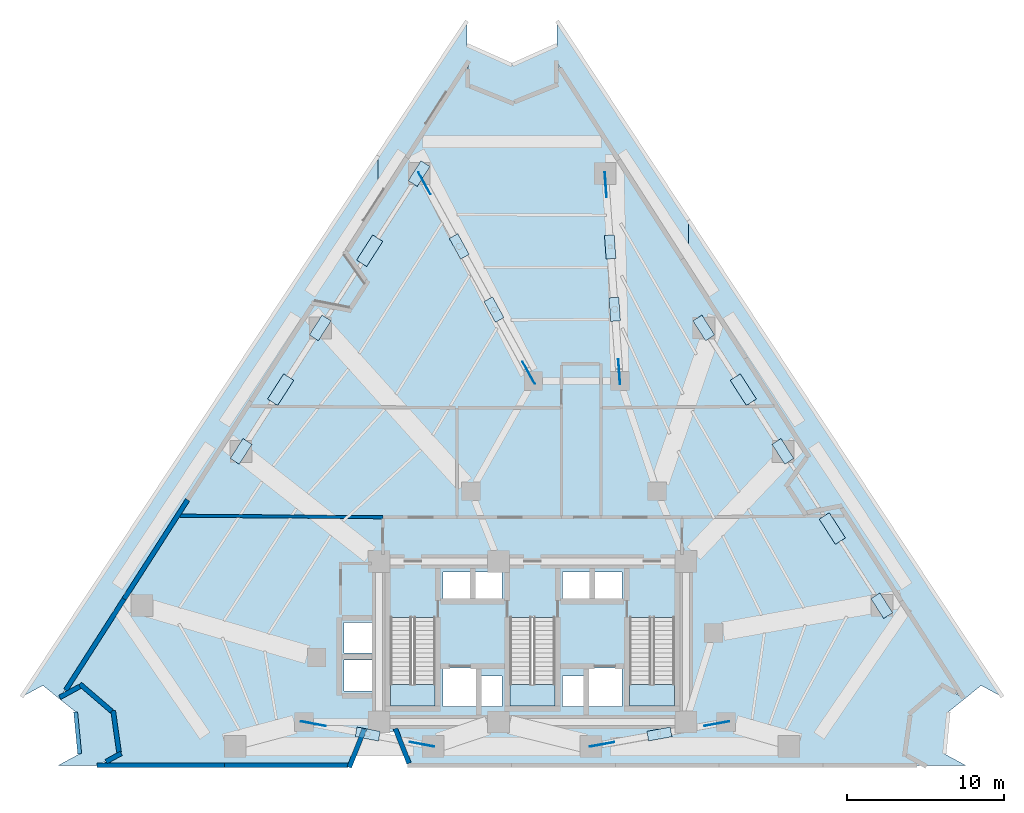
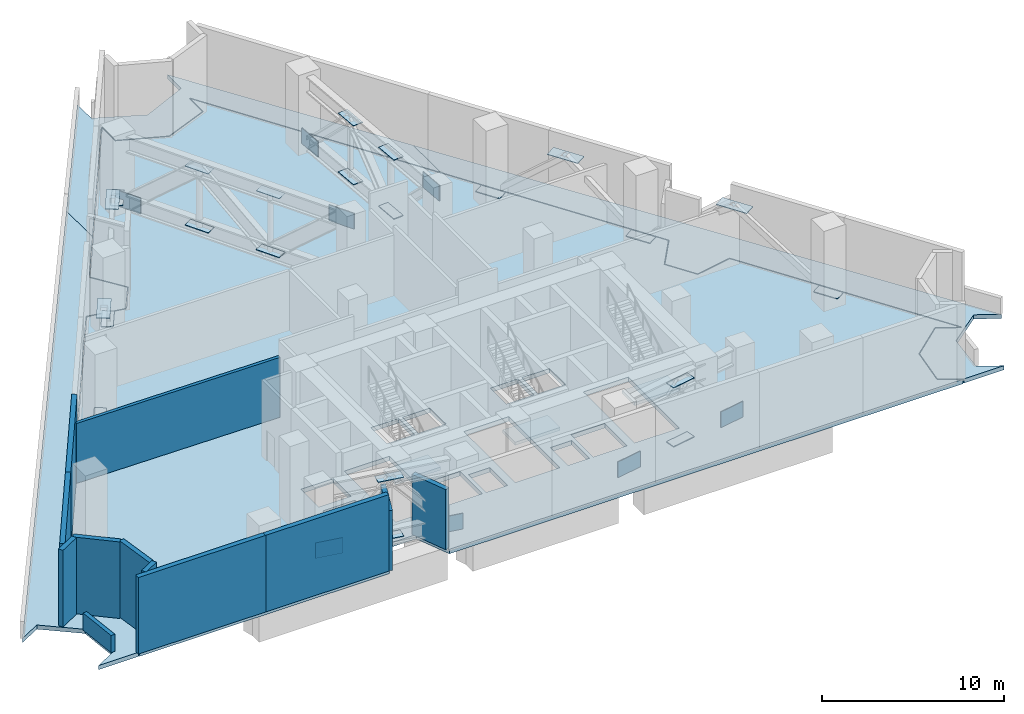
# One storey, part 7 of 12: 30 plates, 12 walls, 7 slabs, 3 elements without a shape of their own.
"""IFC4 building model written with IfcOpenShell, lengths in metres."""

from ifc_helpers import new_model, si_unit, direction, frame, frame_2d, origin, origin_2d, place, context, subcontext, project, spatial, polyline, rectangle, outline, extrude, material, layer, layer_set, type_object, element, aggregate, save


model = new_model("IFC4")

# Units and contexts
model_context = context("Model", 3, precision=1e-05, world=origin(), true_north=direction((0.0, 1.0)))
body_context = subcontext(model_context, "Body", "Model", "MODEL_VIEW")
ifc_project = project(units=[si_unit("LENGTHUNIT", "METRE"), si_unit("AREAUNIT", "SQUARE_METRE"), si_unit("VOLUMEUNIT", "CUBIC_METRE"), si_unit("PLANEANGLEUNIT", "RADIAN"), si_unit("MASSUNIT", "GRAM", prefix="KILO")], contexts=[model_context])

# Site, building, storey
site_placement = place(None, origin())
site = spatial("IfcSite", under=ifc_project, at=site_placement, CompositionType="ELEMENT")
building_placement = place(site_placement, origin())
building = spatial("IfcBuilding", under=site, at=building_placement, Name="Almagre Mirador Tower", CompositionType="ELEMENT")
storey_placement = place(building_placement, frame((0.0, 0.0, 26.39990234375)))
storey = spatial("IfcBuildingStorey", under=building, at=storey_placement, Name="L05", CompositionType="ELEMENT", Elevation=26.39990234375)

# Plates
ifc_material_1 = material(Name="Steel ASTM A572 Grade 50", Category="steel")
ifc_layer_1 = layer(ifc_material_1, 0.035888671875)
ifc_layer_set_1 = layer_set([ifc_layer_1], Name="Steel ASTM A572 Grade 50")
plate_type_1 = type_object("IfcPlateType", Name="PLT-GUS-1350X900X36", PredefinedType="USERDEFINED", material=ifc_layer_set_1)
for number, where, z_axis, x_axis, name in (
    (1, (59.48193359375, 11.93310546875, 0.63232421875), (0.0, 0.0, 1.0), (-0.539535148555, 0.841963077263, 0.0), "L05 belt truss base gusset GP-BT-PC05"),
    (2, (53.201904296875, 21.73291015625, 0.63232421875), (0.0, 0.0, 1.0), (-0.539535148555, 0.841963077263, 0.0), "L05 belt truss base gusset GP-BT-PC06"),
    (3, (48.177978515625, 29.572998046875, 0.63232421875), (0.0, 0.0, 1.0), (-0.539535148555, 0.841963077263, 0.0), "L05 belt truss base gusset GP-BT-PC07"),
    (4, (30.10205078125, 39.373046875, 0.63232421875), (0.0, 0.0, 1.0), (-0.539535148555, -0.841963077263, 0.0), "L05 belt truss base gusset GP-BT-PC09"),
    (5, (23.822021484375, 29.572998046875, 0.63232421875), (0.0, 0.0, 1.0), (-0.539535148555, -0.841963077263, 0.0), "L05 belt truss base gusset GP-BT-PC10"),
    (6, (18.798095703125, 21.73291015625, 0.63232421875), (0.0, 0.0, 1.0), (-0.539535148555, -0.841963077263, 0.0), "L05 belt truss base gusset GP-BT-PC11"),
):
    element("IfcPlate", number, at=place(storey_placement, frame(where, z_axis=z_axis, x_axis=x_axis)), inside=storey, type_object=plate_type_1, Name=name, ObjectType="GUSSET_PLATE", PredefinedType="USERDEFINED", context=body_context, shape_type="SweptSolid", body=[
        extrude(rectangle(XDim=1.5, YDim=0.679931640625, at=origin_2d()), origin(), (0.0, 0.0, 1.0), 0.035888671875),
    ])
ifc_material_2 = material(Name="Steel ASTM A572 Grade 50", Category="steel")
ifc_layer_2 = layer(ifc_material_2, 0.0400390625)
ifc_layer_set_2 = layer_set([ifc_layer_2], Name="Steel ASTM A572 Grade 50")
plate_type_2 = type_object("IfcPlateType", Name="PLT-GUS-1600X1050X40", PredefinedType="USERDEFINED", material=ifc_layer_set_2)
plate_1_placement = place(storey_placement, frame((30.2880859375, 3.13037109375, 0.125), z_axis=(0.0, 0.0, 1.0), x_axis=(-0.982502446755, 0.186249676833, 0.0)))
element("IfcPlate", 7, at=plate_1_placement, inside=storey, type_object=plate_type_2, Name="L05 outrigger node gusset plate GP-1.1.1", ObjectType="GUSSET_PLATE", PredefinedType="USERDEFINED", context=body_context, shape_type="SweptSolid", body=[
    extrude(rectangle(XDim=1.60009765625, YDim=0.0400390625, at=origin_2d()), origin(), (0.0, 0.0, 1.0), 1.050048828125),
])
for number, where, z_axis, x_axis, name in (
    (8, (26.8388671875, 3.7841796875, 0.630126953125), (0.0, 0.0, 1.0), (-0.982502446755, 0.186249676833, 0.0), "L05 outrigger bottom node gusset GP-B1.1.1"),
    (9, (26.8388671875, 3.7841796875, 4.586669921875), (0.0, 0.0, 1.0), (-0.982502446755, 0.186249676833, 0.0), "L05 outrigger top node gusset GP-T1.1.1"),
):
    element("IfcPlate", number, at=place(storey_placement, frame(where, z_axis=z_axis, x_axis=x_axis)), inside=storey, type_object=plate_type_2, Name=name, ObjectType="GUSSET_PLATE", PredefinedType="USERDEFINED", context=body_context, shape_type="SweptSolid", body=[
        extrude(rectangle(XDim=1.5, YDim=0.6201171875, at=origin_2d()), origin(), (0.0, 0.0, 1.0), 0.0400390625),
    ])
for number, where, z_axis, x_axis, name in (
    (10, (23.389404296875, 4.438232421875, 0.125), (0.0, 0.0, 1.0), (-0.982502446755, 0.186249676833, 0.0), "L05 outrigger core embed gusset plate GP-1.1.E"),
    (11, (41.712890625, 3.12451171875, 0.125), (0.0, 0.0, 1.0), (0.984056222403, 0.177857671046, 0.0), "L05 outrigger node gusset plate GP-1.2.1"),
):
    element("IfcPlate", number, at=place(storey_placement, frame(where, z_axis=z_axis, x_axis=x_axis)), inside=storey, type_object=plate_type_2, Name=name, ObjectType="GUSSET_PLATE", PredefinedType="USERDEFINED", context=body_context, shape_type="SweptSolid", body=[
        extrude(rectangle(XDim=1.60009765625, YDim=0.0400390625, at=origin_2d()), origin(), (0.0, 0.0, 1.0), 1.050048828125),
    ])
for number, where, z_axis, x_axis, name in (
    (12, (45.361083984375, 3.783935546875, 0.630126953125), (0.0, 0.0, 1.0), (0.984056222403, 0.177857671046, 0.0), "L05 outrigger bottom node gusset GP-B1.2.1"),
    (13, (45.361083984375, 3.783935546875, 4.586669921875), (0.0, 0.0, 1.0), (0.984056222403, 0.177857671046, 0.0), "L05 outrigger top node gusset GP-T1.2.1"),
):
    element("IfcPlate", number, at=place(storey_placement, frame(where, z_axis=z_axis, x_axis=x_axis)), inside=storey, type_object=plate_type_2, Name=name, ObjectType="GUSSET_PLATE", PredefinedType="USERDEFINED", context=body_context, shape_type="SweptSolid", body=[
        extrude(rectangle(XDim=1.5, YDim=0.6201171875, at=origin_2d()), origin(), (0.0, 0.0, 1.0), 0.0400390625),
    ])
for number, where, z_axis, x_axis, name in (
    (14, (49.009521484375, 4.443359375, 0.125), (0.0, 0.0, 1.0), (0.984056222403, 0.177857671046, 0.0), "L05 outrigger core embed gusset plate GP-1.2.E"),
    (15, (41.948486328125, 38.6748046875, 0.125), (0.0, 0.0, 1.0), (0.072089324985, -0.997398179878, 0.0), "L05 outrigger node gusset plate GP-1.3.1"),
):
    element("IfcPlate", number, at=place(storey_placement, frame(where, z_axis=z_axis, x_axis=x_axis)), inside=storey, type_object=plate_type_2, Name=name, ObjectType="GUSSET_PLATE", PredefinedType="USERDEFINED", context=body_context, shape_type="SweptSolid", body=[
        extrude(rectangle(XDim=1.60009765625, YDim=0.0400390625, at=origin_2d()), origin(), (0.0, 0.0, 1.0), 1.050048828125),
    ])
for number, where, z_axis, x_axis, name in (
    (16, (42.234619140625, 34.716064453125, 0.630126953125), (0.0, 0.0, 1.0), (0.072089324985, -0.997398179878, 0.0), "L05 outrigger bottom node gusset GP-B1.3.1"),
    (17, (42.234619140625, 34.716064453125, 4.586669921875), (0.0, 0.0, 1.0), (0.072089324985, -0.997398179878, 0.0), "L05 outrigger top node gusset GP-T1.3.1"),
    (18, (42.520751953125, 30.757080078125, 0.630126953125), (0.0, 0.0, 1.0), (0.072089324985, -0.997398179878, 0.0), "L05 outrigger bottom node gusset GP-B1.3.2"),
    (19, (42.520751953125, 30.757080078125, 4.586669921875), (0.0, 0.0, 1.0), (0.072089324985, -0.997398179878, 0.0), "L05 outrigger top node gusset GP-T1.3.2"),
):
    element("IfcPlate", number, at=place(storey_placement, frame(where, z_axis=z_axis, x_axis=x_axis)), inside=storey, type_object=plate_type_2, Name=name, ObjectType="GUSSET_PLATE", PredefinedType="USERDEFINED", context=body_context, shape_type="SweptSolid", body=[
        extrude(rectangle(XDim=1.5, YDim=0.6201171875, at=origin_2d()), origin(), (0.0, 0.0, 1.0), 0.0400390625),
    ])
for number, where, z_axis, x_axis, name in (
    (20, (42.806884765625, 26.79833984375, 4.08154296875), (0.0, 0.0, 1.0), (0.072089324985, -0.997398179878, 0.0), "L05 outrigger core embed gusset plate GP-1.3.E"),
    (21, (30.439453125, 38.759765625, 0.125), (0.0, 0.0, 1.0), (0.482074824909, -0.876130049244, 0.0), "L05 outrigger node gusset plate GP-1.4.1"),
):
    element("IfcPlate", number, at=place(storey_placement, frame(where, z_axis=z_axis, x_axis=x_axis)), inside=storey, type_object=plate_type_2, Name=name, ObjectType="GUSSET_PLATE", PredefinedType="USERDEFINED", context=body_context, shape_type="SweptSolid", body=[
        extrude(rectangle(XDim=1.60009765625, YDim=0.0400390625, at=origin_2d()), origin(), (0.0, 0.0, 1.0), 1.050048828125),
    ])
for number, where, z_axis, x_axis, name in (
    (22, (32.646484375, 34.748291015625, 0.630126953125), (0.0, 0.0, 1.0), (0.482074824909, -0.876130049244, 0.0), "L05 outrigger bottom node gusset GP-B1.4.1"),
    (23, (32.646484375, 34.748291015625, 4.586669921875), (0.0, 0.0, 1.0), (0.482074824909, -0.876130049244, 0.0), "L05 outrigger top node gusset GP-T1.4.1"),
    (24, (34.853759765625, 30.737060546875, 0.630126953125), (0.0, 0.0, 1.0), (0.482074824909, -0.876130049244, 0.0), "L05 outrigger bottom node gusset GP-B1.4.2"),
    (25, (34.853759765625, 30.737060546875, 4.586669921875), (0.0, 0.0, 1.0), (0.482074824909, -0.876130049244, 0.0), "L05 outrigger top node gusset GP-T1.4.2"),
):
    element("IfcPlate", number, at=place(storey_placement, frame(where, z_axis=z_axis, x_axis=x_axis)), inside=storey, type_object=plate_type_2, Name=name, ObjectType="GUSSET_PLATE", PredefinedType="USERDEFINED", context=body_context, shape_type="SweptSolid", body=[
        extrude(rectangle(XDim=1.5, YDim=0.6201171875, at=origin_2d()), origin(), (0.0, 0.0, 1.0), 0.0400390625),
    ])
plate_2_placement = place(storey_placement, frame((37.060791015625, 26.7255859375, 4.08154296875), z_axis=(0.0, 0.0, 1.0), x_axis=(0.482074824909, -0.876130049244, 0.0)))
element("IfcPlate", 26, at=plate_2_placement, inside=storey, type_object=plate_type_2, Name="L05 outrigger core embed gusset plate GP-1.4.E", ObjectType="GUSSET_PLATE", PredefinedType="USERDEFINED", context=body_context, shape_type="SweptSolid", body=[
    extrude(rectangle(XDim=1.60009765625, YDim=0.0400390625, at=origin_2d()), origin(), (0.0, 0.0, 1.0), 1.050048828125),
])
for number, where, z_axis, x_axis, name in (
    (27, (56.342041015625, 16.8330078125, 4.586669921875), (0.0, 0.0, 1.0), (-0.539535148555, 0.841963077263, 0.0), "L05 belt truss apex node gusset GP-BT-1"),
    (28, (50.68994140625, 25.653076171875, 4.586669921875), (0.0, 0.0, 1.0), (-0.539535148555, 0.841963077263, 0.0), "L05 belt truss apex node gusset GP-BT-2"),
    (29, (26.9619140625, 34.472900390625, 4.586669921875), (0.0, 0.0, 1.0), (-0.539535148555, -0.841963077263, 0.0), "L05 belt truss apex node gusset GP-BT-3"),
    (30, (21.31005859375, 25.653076171875, 4.586669921875), (0.0, 0.0, 1.0), (-0.539535148555, -0.841963077263, 0.0), "L05 belt truss apex node gusset GP-BT-4"),
):
    element("IfcPlate", number, at=place(storey_placement, frame(where, z_axis=z_axis, x_axis=x_axis)), inside=storey, type_object=plate_type_2, Name=name, ObjectType="GUSSET_PLATE", PredefinedType="USERDEFINED", context=body_context, shape_type="SweptSolid", body=[
        extrude(rectangle(XDim=1.89990234375, YDim=0.760009765625, at=origin_2d()), origin(), (0.0, 0.0, 1.0), 0.0400390625),
    ])

# Slab
ifc_material_3 = material(Name="Concrete C45/55", Category="concrete")
ifc_layer_3 = layer(ifc_material_3, 0.300048828125)
ifc_layer_set_3 = layer_set([ifc_layer_3], Name="Concrete C45/55")
slab_type_1 = type_object("IfcSlabType", Name="SLB-FLR-300", PredefinedType="FLOOR", material=ifc_layer_set_3)
slab_1_placement = place(storey_placement, frame((0.0, 0.0, -0.2998046875)))
element("IfcSlab", 31, at=slab_1_placement, inside=storey, type_object=slab_type_1, Name="L05 structural floor slab", PredefinedType="FLOOR", context=body_context, shape_type="SweptSolid", body=[
    extrude(outline(polyline([(7.406005859375, 6.177978515625), (8.6689453125, 6.868896484375), (10.69189453125, 5.132080078125), (11.06298828125, 2.490966796875), (9.800048828125, 1.800048828125), (25.716064453125, 1.800048828125), (26.571044921875, 3.949951171875), (28.660888671875, 3.949951171875), (29.51611328125, 1.800048828125), (62.199951171875, 1.800048828125), (60.93701171875, 2.490966796875), (61.30810546875, 5.132080078125), (63.3310546875, 6.868896484375), (64.593994140625, 6.177978515625), (56.85107421875, 18.260986328125), (54.580078125, 17.821044921875), (53.451904296875, 19.5810546875), (54.801025390625, 21.4609375), (38.805908203125, 46.422119140625), (38.805908203125, 44.98193359375), (36.0, 43.85595703125), (33.194091796875, 44.98193359375), (33.194091796875, 46.422119140625), (25.450927734375, 34.339111328125), (26.800048828125, 32.458984375), (25.673095703125, 30.698974609375), (23.40087890625, 31.138916015625), (7.406005859375, 6.177978515625)]), holes=[polyline([(43.47509765625, 11.196044921875), (46.324951171875, 11.196044921875), (46.324951171875, 5.550048828125), (43.47509765625, 5.550048828125), (43.47509765625, 11.196044921875)]), polyline([(40.820068359375, 5.52001953125), (40.820068359375, 7.97998046875), (42.97998046875, 7.97998046875), (42.97998046875, 5.52001953125), (40.820068359375, 5.52001953125)]), polyline([(41.219970703125, 12.320068359375), (41.219970703125, 14.080078125), (42.97998046875, 14.080078125), (42.97998046875, 12.320068359375), (41.219970703125, 12.320068359375)]), polyline([(39.219970703125, 12.320068359375), (39.219970703125, 14.080078125), (40.97998046875, 14.080078125), (40.97998046875, 12.320068359375), (39.219970703125, 12.320068359375)]), polyline([(39.219970703125, 5.52001953125), (39.219970703125, 7.47998046875), (40.580078125, 7.47998046875), (40.580078125, 5.52001953125), (39.219970703125, 5.52001953125)]), polyline([(35.875, 11.196044921875), (38.72509765625, 11.196044921875), (38.72509765625, 5.550048828125), (35.875, 5.550048828125), (35.875, 11.196044921875)]), polyline([(35.3798828125, 5.52001953125), (34.02001953125, 5.52001953125), (34.02001953125, 7.47998046875), (35.3798828125, 7.47998046875), (35.3798828125, 5.52001953125)]), polyline([(35.3798828125, 12.320068359375), (33.6201171875, 12.320068359375), (33.6201171875, 14.080078125), (35.3798828125, 14.080078125), (35.3798828125, 12.320068359375)]), polyline([(31.6201171875, 5.52001953125), (31.6201171875, 7.97998046875), (33.780029296875, 7.97998046875), (33.780029296875, 5.52001953125), (31.6201171875, 5.52001953125)]), polyline([(31.6201171875, 12.320068359375), (31.6201171875, 14.080078125), (33.3798828125, 14.080078125), (33.3798828125, 12.320068359375), (31.6201171875, 12.320068359375)]), polyline([(28.27490234375, 5.550048828125), (28.27490234375, 11.196044921875), (31.125, 11.196044921875), (31.125, 5.550048828125), (28.27490234375, 5.550048828125)]), polyline([(25.320068359375, 6.52001953125), (25.320068359375, 8.47998046875), (27.3798828125, 8.47998046875), (27.3798828125, 6.52001953125), (25.320068359375, 6.52001953125)]), polyline([(25.320068359375, 8.919921875), (25.320068359375, 10.8798828125), (27.3798828125, 10.8798828125), (27.3798828125, 8.919921875), (25.320068359375, 8.919921875)])]), origin(), (0.0, 0.0, 1.0), 0.2998046875),
])

# Stair, slab
ifc_material_4 = material(Name="Concrete C45/55", Category="concrete")
stair_type = type_object("IfcStairType", Name="STR-DL-5400", PredefinedType="HALF_TURN_STAIR", material=ifc_material_4)
stair_1_placement = place(storey_placement, origin())
stair_1 = element("IfcStair", 32, at=stair_1_placement, inside=storey, type_object=stair_type, Name="L05 Protected exit stair ST-1", PredefinedType="HALF_TURN_STAIR")
ifc_material_5 = material(Name="Concrete C45/55", Category="concrete")
ifc_layer_4 = layer(ifc_material_5, 0.199951171875)
ifc_layer_set_4 = layer_set([ifc_layer_4], Name="Concrete C45/55")
slab_type_2 = type_object("IfcSlabType", Name="SLB-LND-200", PredefinedType="LANDING", material=ifc_layer_set_4)
slab_2_placement = place(storey_placement, frame((0.0, 0.0, 2.5)))
slab_2 = element("IfcSlab", 33, at=slab_2_placement, type_object=slab_type_2, Name="ST-1 landing 1", PredefinedType="LANDING", context=body_context, shape_type="SweptSolid", body=[
    extrude(outline(polyline([(28.27490234375, 6.925048828125), (28.27490234375, 5.550048828125), (31.125, 5.550048828125), (31.125, 6.925048828125), (28.27490234375, 6.925048828125)])), origin(), (0.0, 0.0, 1.0), 0.2001953125),
])
aggregate(stair_1, [slab_2])

stair_2_placement = place(storey_placement, origin())
stair_2 = element("IfcStair", 34, at=stair_2_placement, inside=storey, type_object=stair_type, Name="L05 Protected exit stair ST-2", PredefinedType="HALF_TURN_STAIR")
slab_3_placement = place(storey_placement, frame((0.0, 0.0, 2.5)))
slab_3 = element("IfcSlab", 35, at=slab_3_placement, type_object=slab_type_2, Name="ST-2 landing 1", PredefinedType="LANDING", context=body_context, shape_type="SweptSolid", body=[
    extrude(outline(polyline([(35.875, 6.925048828125), (35.875, 5.550048828125), (38.72509765625, 5.550048828125), (38.72509765625, 6.925048828125), (35.875, 6.925048828125)])), origin(), (0.0, 0.0, 1.0), 0.2001953125),
])
aggregate(stair_2, [slab_3])

stair_3_placement = place(storey_placement, origin())
stair_3 = element("IfcStair", 36, at=stair_3_placement, inside=storey, type_object=stair_type, Name="L05 Protected exit stair ST-3", PredefinedType="HALF_TURN_STAIR")
slab_4_placement = place(storey_placement, frame((0.0, 0.0, 2.5)))
slab_4 = element("IfcSlab", 37, at=slab_4_placement, type_object=slab_type_2, Name="ST-3 landing 1", PredefinedType="LANDING", context=body_context, shape_type="SweptSolid", body=[
    extrude(outline(polyline([(43.47509765625, 6.925048828125), (43.47509765625, 5.550048828125), (46.324951171875, 5.550048828125), (46.324951171875, 6.925048828125), (43.47509765625, 6.925048828125)])), origin(), (0.0, 0.0, 1.0), 0.2001953125),
])
aggregate(stair_3, [slab_4])

# Slabs
ifc_material_6 = material(Name="Concrete C45/55", Category="concrete")
ifc_layer_5 = layer(ifc_material_6, 0.280029296875)
ifc_layer_set_5 = layer_set([ifc_layer_5], Name="Concrete C45/55")
slab_type_3 = type_object("IfcSlabType", Name="SLB-TER-280", PredefinedType="ROOF", material=ifc_layer_set_5)
slab_5_placement = place(storey_placement, frame((0.0, 0.0, -0.27978515625)))
element("IfcSlab", 38, at=slab_5_placement, inside=storey, type_object=slab_type_3, Name="L05 step-back sky terrace roof slab 1", PredefinedType="ROOF", context=body_context, shape_type="SweptSolid", body=[
    extrude(outline(polyline([(7.199951171875, 1.800048828125), (9.760009765625, 1.800048828125), (9.76025390625, 1.8037109375), (9.7607421875, 1.8076171875), (9.76171875, 1.811279296875), (9.762939453125, 1.81494140625), (9.7646484375, 1.818603515625), (9.7666015625, 1.822021484375), (9.768798828125, 1.8251953125), (9.771484375, 1.827880859375), (9.7744140625, 1.830810546875), (9.777587890625, 1.8330078125), (9.78076171875, 1.835205078125), (11.01953125, 2.5126953125), (10.654541015625, 5.111572265625), (8.663818359375, 6.820556640625), (7.42529296875, 6.142822265625), (7.421630859375, 6.14111328125), (7.41796875, 6.139892578125), (7.414306640625, 6.138916015625), (7.410400390625, 6.13818359375), (7.406494140625, 6.137939453125), (7.402587890625, 6.13818359375), (7.398681640625, 6.138671875), (7.39501953125, 6.1396484375), (7.39111328125, 6.140869140625), (7.3876953125, 6.142578125), (7.38427734375, 6.144287109375), (7.381103515625, 6.146728515625), (7.378173828125, 6.1494140625), (7.37548828125, 6.152099609375), (7.373046875, 6.1552734375), (7.37109375, 6.15869140625), (7.369384765625, 6.162109375), (7.367919921875, 6.165771484375), (7.366943359375, 6.169677734375), (7.3662109375, 6.17333984375), (7.365966796875, 6.17724609375), (7.3662109375, 6.18115234375), (7.36669921875, 6.18505859375), (7.367431640625, 6.18896484375), (7.368896484375, 6.192626953125), (7.370361328125, 6.1962890625), (7.372314453125, 6.19970703125), (23.3671875, 31.16064453125), (23.36962890625, 31.163818359375), (23.372314453125, 31.166748046875), (23.375, 31.16943359375), (23.37841796875, 31.171875), (23.381591796875, 31.174072265625), (23.38525390625, 31.17578125), (23.388916015625, 31.177001953125), (23.392822265625, 31.17822265625), (23.396728515625, 31.1787109375), (23.400634765625, 31.178955078125), (23.40478515625, 31.1787109375), (23.40869140625, 31.17822265625), (25.654052734375, 30.743408203125), (26.751708984375, 32.457763671875), (25.41845703125, 34.315673828125), (25.416259765625, 34.319091796875), (25.41455078125, 34.322509765625), (25.4130859375, 34.326416015625), (25.412109375, 34.330078125), (25.411376953125, 34.333984375), (25.410888671875, 34.337890625), (25.4111328125, 34.341796875), (25.41162109375, 34.345947265625), (25.41259765625, 34.349609375), (25.413818359375, 34.353515625), (25.415283203125, 34.357177734375), (25.417236328125, 34.360595703125), (27.5, 37.610595703125), (27.5, 40.5), (4.861083984375, 6.14208984375), (6.2080078125, 6.867919921875), (8.2900390625, 5.18798828125), (8.547119140625, 2.52587890625), (7.199951171875, 1.800048828125)])), origin(), (0.0, 0.0, 1.0), 0.27978515625),
])
slab_6_placement = place(storey_placement, frame((0.0, 0.0, -0.27978515625)))
element("IfcSlab", 39, at=slab_6_placement, inside=storey, type_object=slab_type_3, Name="L05 step-back sky terrace roof slab 2", PredefinedType="ROOF", context=body_context, shape_type="SweptSolid", body=[
    extrude(outline(polyline([(47.199951171875, 36.40234375), (47.199951171875, 33.39697265625), (54.834716796875, 21.482666015625), (54.836669921875, 21.47900390625), (54.83837890625, 21.4755859375), (54.839599609375, 21.4716796875), (54.84033203125, 21.468017578125), (54.8408203125, 21.4638671875), (54.841064453125, 21.4599609375), (54.8408203125, 21.4560546875), (54.840087890625, 21.4521484375), (54.8388671875, 21.4482421875), (54.83740234375, 21.444580078125), (54.835693359375, 21.44091796875), (54.83349609375, 21.437744140625), (53.500244140625, 19.57958984375), (54.59912109375, 17.865478515625), (56.843505859375, 18.30029296875), (56.847412109375, 18.30078125), (56.851318359375, 18.301025390625), (56.855224609375, 18.30078125), (56.859130859375, 18.30029296875), (56.863037109375, 18.299072265625), (56.86669921875, 18.2978515625), (56.870361328125, 18.2958984375), (56.873779296875, 18.2939453125), (56.876953125, 18.29150390625), (56.8798828125, 18.288818359375), (56.88232421875, 18.285888671875), (56.884765625, 18.28271484375), (64.627685546875, 6.19970703125), (64.629638671875, 6.1962890625), (64.631103515625, 6.192626953125), (64.632568359375, 6.18896484375), (64.63330078125, 6.18505859375), (64.6337890625, 6.18115234375), (64.634033203125, 6.17724609375), (64.6337890625, 6.17333984375), (64.633056640625, 6.169677734375), (64.632080078125, 6.165771484375), (64.630615234375, 6.162109375), (64.62890625, 6.15869140625), (64.626953125, 6.1552734375), (64.62451171875, 6.152099609375), (64.621826171875, 6.1494140625), (64.618896484375, 6.146728515625), (64.61572265625, 6.144287109375), (64.6123046875, 6.142578125), (64.60888671875, 6.140869140625), (64.60498046875, 6.1396484375), (64.601318359375, 6.138671875), (64.597412109375, 6.13818359375), (64.593505859375, 6.137939453125), (64.589599609375, 6.13818359375), (64.585693359375, 6.138916015625), (64.58203125, 6.139892578125), (64.578369140625, 6.14111328125), (64.57470703125, 6.142822265625), (63.336181640625, 6.820556640625), (61.345458984375, 5.111572265625), (60.98046875, 2.5126953125), (62.21923828125, 1.835205078125), (62.222412109375, 1.8330078125), (62.2255859375, 1.830810546875), (62.228515625, 1.827880859375), (62.231201171875, 1.8251953125), (62.2333984375, 1.822021484375), (62.2353515625, 1.818603515625), (62.237060546875, 1.81494140625), (62.23828125, 1.811279296875), (62.2392578125, 1.8076171875), (62.23974609375, 1.8037109375), (62.239990234375, 1.800048828125), (64.800048828125, 1.800048828125), (63.452880859375, 2.52587890625), (63.7099609375, 5.18798828125), (65.7919921875, 6.867919921875), (67.138916015625, 6.14208984375), (47.199951171875, 36.40234375)])), origin(), (0.0, 0.0, 1.0), 0.27978515625),
])
slab_7_placement = place(storey_placement, frame((0.0, 0.0, -0.27978515625)))
element("IfcSlab", 40, at=slab_7_placement, inside=storey, type_object=slab_type_3, Name="L05 step-back sky terrace roof slab 3", PredefinedType="ROOF", context=body_context, shape_type="SweptSolid", body=[
    extrude(outline(polyline([(27.5, 40.5), (27.5, 37.610595703125), (33.160400390625, 46.443603515625), (33.16259765625, 46.44677734375), (33.165283203125, 46.44970703125), (33.168212890625, 46.452392578125), (33.171142578125, 46.454833984375), (33.174560546875, 46.45703125), (33.177978515625, 46.458740234375), (33.181884765625, 46.460205078125), (33.185791015625, 46.461181640625), (33.189697265625, 46.4619140625), (33.193603515625, 46.4619140625), (33.197509765625, 46.4619140625), (33.201416015625, 46.461181640625), (33.205078125, 46.46044921875), (33.208984375, 46.458984375), (33.212646484375, 46.45751953125), (33.216064453125, 46.455322265625), (33.21923828125, 46.453125), (33.22216796875, 46.450439453125), (33.224853515625, 46.447509765625), (33.227294921875, 46.4443359375), (33.229248046875, 46.44091796875), (33.23095703125, 46.4375), (33.232421875, 46.43359375), (33.233154296875, 46.429931640625), (33.23388671875, 46.426025390625), (33.23388671875, 46.422119140625), (33.23388671875, 45.009033203125), (36.0, 43.899169921875), (38.76611328125, 45.009033203125), (38.76611328125, 46.422119140625), (38.76611328125, 46.426025390625), (38.766845703125, 46.429931640625), (38.767578125, 46.43359375), (38.76904296875, 46.4375), (38.770751953125, 46.44091796875), (38.772705078125, 46.4443359375), (38.775146484375, 46.447509765625), (38.77783203125, 46.450439453125), (38.78076171875, 46.453125), (38.783935546875, 46.455322265625), (38.787353515625, 46.45751953125), (38.791015625, 46.458984375), (38.794921875, 46.46044921875), (38.798583984375, 46.461181640625), (38.802490234375, 46.4619140625), (38.806396484375, 46.4619140625), (38.810302734375, 46.4619140625), (38.814208984375, 46.461181640625), (38.818115234375, 46.460205078125), (38.822021484375, 46.458740234375), (38.825439453125, 46.45703125), (38.828857421875, 46.454833984375), (38.831787109375, 46.452392578125), (38.834716796875, 46.44970703125), (38.83740234375, 46.44677734375), (38.839599609375, 46.443603515625), (47.199951171875, 33.39697265625), (47.199951171875, 36.40234375), (38.861083984375, 49.05810546875), (38.861083984375, 47.528076171875), (36.0, 46.256103515625), (33.138916015625, 47.528076171875), (33.138916015625, 49.05810546875), (27.5, 40.5)])), origin(), (0.0, 0.0, 1.0), 0.27978515625),
])

# Walls
ifc_material_7 = material(Name="Precast concrete C50/60", Category="concrete")
ifc_layer_6 = layer(ifc_material_7, 0.300048828125)
ifc_layer_set_6 = layer_set([ifc_layer_6], Name="Precast concrete C50/60")
wall_type_1 = type_object("IfcWallType", Name="WAL-EXT-300", PredefinedType="SOLIDWALL", material=ifc_layer_set_6)
wall_1_placement = place(storey_placement, frame((29.466064453125, 1.92529296875, 0.0), z_axis=(0.0, 0.0, 1.0), x_axis=(-0.36946923074, 0.92924296475, 0.0)))
element("IfcWall", 41, at=wall_1_placement, inside=storey, type_object=wall_type_1, Name="L05 expressed almagre precast frame wall 28", PredefinedType="SOLIDWALL", context=body_context, shape_type="SweptSolid", body=[
    extrude(rectangle(XDim=2.366943359375, YDim=0.300048828125, at=frame_2d((1.18359375, 0.0))), origin(), (0.0, 0.0, 1.0), 4.0380859375),
])
wall_2_placement = place(storey_placement, frame((26.622802734375, 4.080078125, 0.0), z_axis=(0.0, 0.0, 1.0), x_axis=(-0.369539870332, -0.929214875169, 0.0)))
element("IfcWall", 42, at=wall_2_placement, inside=storey, type_object=wall_type_1, Name="L05 expressed almagre precast frame wall 29", PredefinedType="SOLIDWALL", context=body_context, shape_type="SweptSolid", body=[
    extrude(rectangle(XDim=2.59375, YDim=0.300048828125, at=frame_2d((1.296875, 0.0))), origin(), (0.0, 0.0, 1.0), 4.0380859375),
])
wall_3_placement = place(storey_placement, frame((25.5810546875, 1.800048828125, 0.0), z_axis=(0.0, 0.0, 1.0), x_axis=(-1.0, 0.0, 0.0)))
element("IfcWall", 43, at=wall_3_placement, inside=storey, type_object=wall_type_1, Name="L05 expressed almagre precast frame wall 30", PredefinedType="SOLIDWALL", context=body_context, shape_type="SweptSolid", body=[
    extrude(rectangle(XDim=7.822998046875, YDim=0.300048828125, at=frame_2d((3.91162109375, 0.0))), origin(), (0.0, 0.0, 1.0), 5.150146484375),
])
wall_4_placement = place(storey_placement, frame((17.758056640625, 1.800048828125, 0.0), z_axis=(0.0, 0.0, 1.0), x_axis=(-1.0, 0.0, 0.0)))
element("IfcWall", 44, at=wall_4_placement, inside=storey, type_object=wall_type_1, Name="L05 expressed almagre precast frame wall 31", PredefinedType="SOLIDWALL", context=body_context, shape_type="SweptSolid", body=[
    extrude(rectangle(XDim=8.09814453125, YDim=0.300048828125, at=frame_2d((4.049072265625, 0.0))), origin(), (0.0, 0.0, 1.0), 5.150146484375),
])
wall_5_placement = place(storey_placement, frame((10.22119140625, 2.030517578125, 0.0), z_axis=(0.0, 0.0, 1.0), x_axis=(0.877343386297, 0.479863087266, 0.0)))
element("IfcWall", 45, at=wall_5_placement, inside=storey, type_object=wall_type_1, Name="L05 expressed almagre precast frame wall 32", PredefinedType="SOLIDWALL", context=body_context, shape_type="SweptSolid", body=[
    extrude(rectangle(XDim=1.099365234375, YDim=0.300048828125, at=frame_2d((0.5498046875, 0.0))), origin(), (0.0, 0.0, 1.0), 5.150146484375),
])
wall_6_placement = place(storey_placement, frame((11.044189453125, 2.624755859375, 0.0), z_axis=(0.0, 0.0, 1.0), x_axis=(-0.139079814349, 0.990281174839, 0.0)))
element("IfcWall", 46, at=wall_6_placement, inside=storey, type_object=wall_type_1, Name="L05 expressed almagre precast frame wall 33", PredefinedType="SOLIDWALL", context=body_context, shape_type="SweptSolid", body=[
    extrude(rectangle(XDim=2.671630859375, YDim=0.300048828125, at=frame_2d((1.3359375, 0.0))), origin(), (0.0, 0.0, 1.0), 5.150146484375),
])
wall_7_placement = place(storey_placement, frame((10.574462890625, 5.23291015625, 0.0), z_axis=(0.0, 0.0, 1.0), x_axis=(-0.758703874518, 0.651435668958, 0.0)))
element("IfcWall", 47, at=wall_7_placement, inside=storey, type_object=wall_type_1, Name="L05 expressed almagre precast frame wall 34", PredefinedType="SOLIDWALL", context=body_context, shape_type="SweptSolid", body=[
    extrude(rectangle(XDim=2.651611328125, YDim=0.300048828125, at=frame_2d((1.32568359375, 0.0))), origin(), (0.0, 0.0, 1.0), 5.150146484375),
])
wall_8_placement = place(storey_placement, frame((8.546142578125, 6.8017578125, 0.0), z_axis=(0.0, 0.0, 1.0), x_axis=(-0.877298620335, -0.479944924714, 0.0)))
element("IfcWall", 48, at=wall_8_placement, inside=storey, type_object=wall_type_1, Name="L05 expressed almagre precast frame wall 35", PredefinedType="SOLIDWALL", context=body_context, shape_type="SweptSolid", body=[
    extrude(rectangle(XDim=1.439697265625, YDim=0.300048828125, at=frame_2d((0.7197265625, 0.0))), origin(), (0.0, 0.0, 1.0), 5.150146484375),
])
wall_9_placement = place(storey_placement, frame((7.65966796875, 6.57373046875, 0.0), z_axis=(0.0, 0.0, 1.0), x_axis=(0.539514369137, 0.84197639248, 0.0)))
element("IfcWall", 49, at=wall_9_placement, inside=storey, type_object=wall_type_1, Name="L05 expressed almagre precast frame wall 36", PredefinedType="SOLIDWALL", context=body_context, shape_type="SweptSolid", body=[
    extrude(rectangle(XDim=6.87158203125, YDim=0.300048828125, at=frame_2d((3.435791015625, 0.0))), origin(), (0.0, 0.0, 1.0), 5.150146484375),
])
wall_10_placement = place(storey_placement, frame((11.366943359375, 12.359375, 0.0), z_axis=(0.0, 0.0, 1.0), x_axis=(0.539548093607, 0.841954781853, 0.0)))
element("IfcWall", 50, at=wall_10_placement, inside=storey, type_object=wall_type_1, Name="L05 expressed almagre precast frame wall 37", PredefinedType="SOLIDWALL", context=body_context, shape_type="SweptSolid", body=[
    extrude(rectangle(XDim=7.4814453125, YDim=0.300048828125, at=frame_2d((3.74072265625, 0.0))), origin(), (0.0, 0.0, 1.0), 5.150146484375),
])
ifc_material_8 = material(Name="Precast concrete C50/60", Category="concrete")
ifc_layer_7 = layer(ifc_material_8, 0.25)
ifc_layer_set_7 = layer_set([ifc_layer_7], Name="Precast concrete C50/60")
wall_type_2 = type_object("IfcWallType", Name="WAL-PAR-250", PredefinedType="PARAPET", material=ifc_layer_set_7)
wall_11_placement = place(storey_placement, frame((8.547119140625, 2.52587890625, 0.0), z_axis=(0.0, 0.0, 1.0), x_axis=(-0.096122895787, 0.995369473565, 0.0)))
element("IfcWall", 51, at=wall_11_placement, inside=storey, type_object=wall_type_2, Name="L05 terrace precast parapet 1.1", PredefinedType="PARAPET", context=body_context, shape_type="SweptSolid", body=[
    extrude(rectangle(XDim=2.674560546875, YDim=0.25, at=frame_2d((1.33740234375, 0.0))), origin(), (0.0, 0.0, 1.0), 1.150146484375),
])
ifc_material_9 = material(Name="Gypsum acoustic stud partition", Category="other")
ifc_layer_8 = layer(ifc_material_9, 0.199951171875)
ifc_layer_set_8 = layer_set([ifc_layer_8], Name="Gypsum acoustic stud partition")
wall_type_3 = type_object("IfcWallType", Name="WAL-PRT-200-EI60", PredefinedType="PARTITIONING", material=ifc_layer_set_8)
wall_12_placement = place(storey_placement, frame((14.9130859375, 17.64892578125, 0.0), z_axis=(0.0, 0.0, 1.0), x_axis=(0.999970566641, -0.00767240844, 0.0)))
element("IfcWall", 52, at=wall_12_placement, inside=storey, type_object=wall_type_3, Name="L05 interior partition 017", PredefinedType="PARTITIONING", context=body_context, shape_type="SweptSolid", body=[
    extrude(rectangle(XDim=12.887451171875, YDim=0.199951171875, at=frame_2d((6.44384765625, 0.0))), origin(), (0.0, 0.0, 1.0), 4.028076171875),
])

save(model, "model.ifc")
